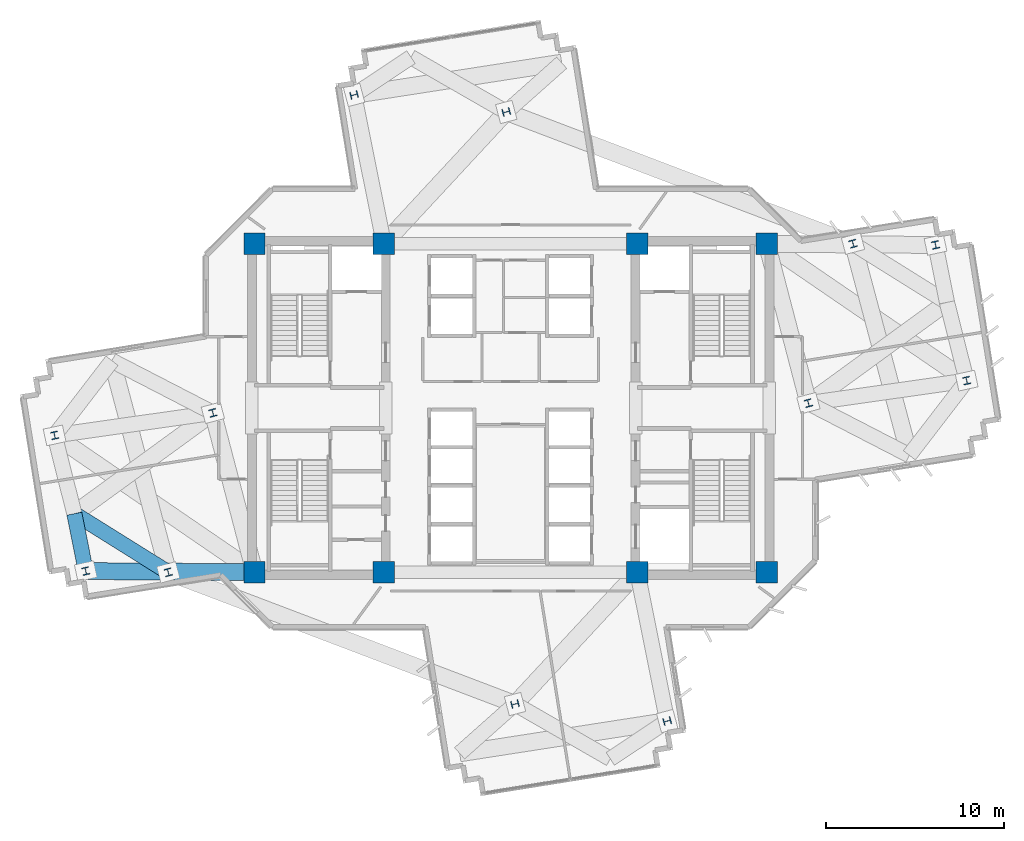
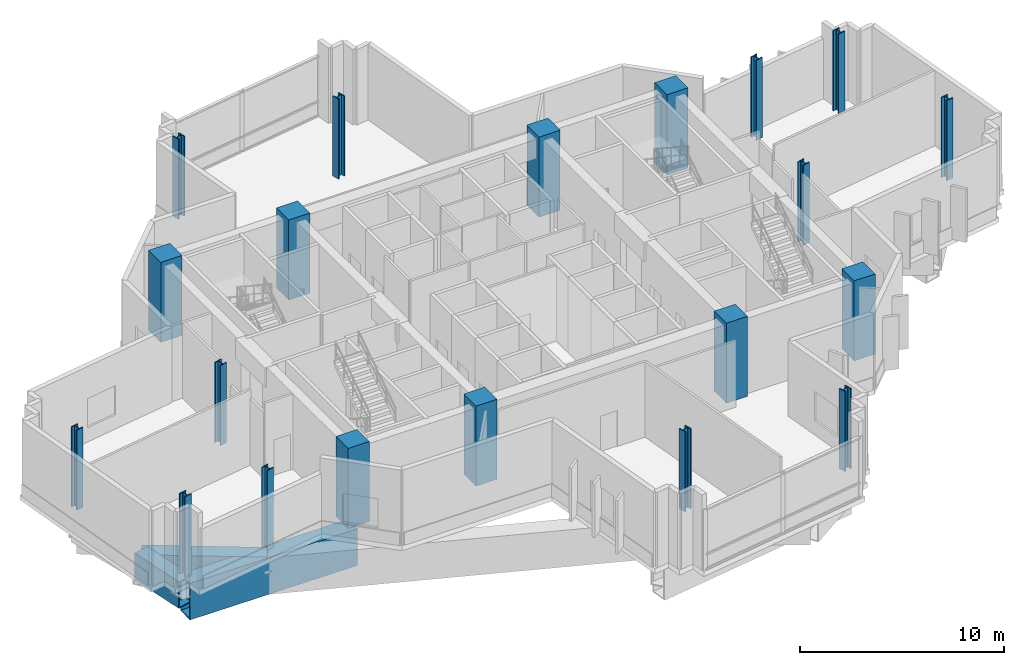
# One storey, part 1 of 12: 20 columns, 3 beams.
"""IFC4 building model written with IfcOpenShell, lengths in metres."""

from ifc_helpers import new_model, si_unit, direction, frame, origin, origin_2d, place, context, subcontext, project, spatial, rectangle, hollow_rectangle, i_section, extrude, source, transform, mapped, material, material_profile, profile_set, type_object, element, save


model = new_model("IFC4")

# Units and contexts
model_context = context("Model", 3, precision=1e-05, world=origin(), true_north=direction((0.0, 1.0)))
body_context = subcontext(model_context, "Body", "Model", "MODEL_VIEW")
ifc_project = project(units=[si_unit("LENGTHUNIT", "METRE"), si_unit("AREAUNIT", "SQUARE_METRE"), si_unit("VOLUMEUNIT", "CUBIC_METRE"), si_unit("PLANEANGLEUNIT", "RADIAN"), si_unit("MASSUNIT", "GRAM", prefix="KILO")], contexts=[model_context])

# Site, building, storey
site_placement = place(None, origin())
site = spatial("IfcSite", under=ifc_project, at=site_placement, CompositionType="ELEMENT")
building_placement = place(site_placement, origin())
building = spatial("IfcBuilding", under=site, at=building_placement, Name="Zahravan Cultural Tower", CompositionType="ELEMENT")
storey_placement = place(building_placement, frame((0.0, 0.0, 130.800048828125)))
storey = spatial("IfcBuildingStorey", under=building, at=storey_placement, Name="L29", CompositionType="ELEMENT", Elevation=130.800048828125)

# Columns
ifc_material_1 = material(Name="Concrete C50/60", Category="concrete")
ifc_material_profile_1 = material_profile(ifc_material_1, rectangle(XDim=1.199951171875, YDim=1.199951171875, at=origin_2d()), Name="RC1200X1200")
ifc_profile_set_1 = profile_set([ifc_material_profile_1], Name="Concrete C50/60")
column_type_1 = type_object("IfcColumnType", Name="COL-RC1200", PredefinedType="COLUMN", material=ifc_profile_set_1)
shared_shape_1 = source(origin(), body_context, "Body", "SweptSolid", [
    extrude(rectangle(XDim=1.199951171875, YDim=1.199951171875, at=origin_2d()), origin(), (0.0, 0.0, 1.0), 4.800048828125),
])
for number, where, z_axis, x_axis, name in (
    (1, (21.64990234375, 17.800048828125, 0.0), (0.0, 0.0, 1.0), (1.0, 0.0, 0.0), "L29 Column CC-W1"),
    (2, (28.89990234375, 17.800048828125, 0.0), (0.0, 0.0, 1.0), (1.0, 0.0, 0.0), "L29 Column CC-W2"),
    (3, (21.64990234375, 36.199951171875, 0.0), (0.0, 0.0, 1.0), (1.0, 0.0, 0.0), "L29 Column CC-W3"),
    (4, (28.89990234375, 36.199951171875, 0.0), (0.0, 0.0, 1.0), (1.0, 0.0, 0.0), "L29 Column CC-W4"),
    (5, (43.10009765625, 17.800048828125, 0.0), (0.0, 0.0, 1.0), (1.0, 0.0, 0.0), "L29 Column CC-E1"),
    (6, (50.35009765625, 17.800048828125, 0.0), (0.0, 0.0, 1.0), (1.0, 0.0, 0.0), "L29 Column CC-E2"),
    (7, (43.10009765625, 36.199951171875, 0.0), (0.0, 0.0, 1.0), (1.0, 0.0, 0.0), "L29 Column CC-E3"),
    (8, (50.35009765625, 36.199951171875, 0.0), (0.0, 0.0, 1.0), (1.0, 0.0, 0.0), "L29 Column CC-E4"),
):
    element("IfcColumn", number, at=place(storey_placement, frame(where, z_axis=z_axis, x_axis=x_axis)), inside=storey, type_object=column_type_1, Name=name, PredefinedType="COLUMN", context=body_context, shape_type="MappedRepresentation", body=[
        mapped(shared_shape_1, transform((0.0, 0.0, 0.0), x_axis=(1.0, 0.0, 0.0), y_axis=(0.0, 1.0, 0.0), z_axis=(0.0, 0.0, 1.0), scale=1.0)),
    ])
ifc_material_2 = material(Name="Steel ASTM A992 Grade 50", Category="steel")
ifc_material_profile_2 = material_profile(ifc_material_2, i_section(OverallWidth=0.412109375, OverallDepth=0.43505859375, WebThickness=0.035888671875, FlangeThickness=0.057373046875, FilletRadius=0.01806640625, at=origin_2d()), Name="W14X311")
ifc_profile_set_2 = profile_set([ifc_material_profile_2], Name="Steel ASTM A992 Grade 50")
column_type_2 = type_object("IfcColumnType", Name="COL-W14X311", PredefinedType="COLUMN", material=ifc_profile_set_2)
shared_shape_2 = source(origin(), body_context, "Body", "SweptSolid", [
    extrude(i_section(OverallWidth=0.412109375, OverallDepth=0.43505859375, WebThickness=0.035888671875, FlangeThickness=0.057373046875, FilletRadius=0.01806640625, at=origin_2d()), origin(), (0.0, 0.0, 1.0), 4.800048828125),
])
for number, where, z_axis, x_axis, name in (
    (9, (52.684326171875, 27.27099609375, 0.0), (0.0, 0.0, 1.0), (0.966823388604, 0.255445757936, 0.0), "L29 Column Z2C-E1"),
    (10, (55.184814453125, 36.2060546875, 0.0), (0.0, 0.0, 1.0), (0.966823388604, 0.255445757936, 0.0), "L29 Column Z2C-E2"),
    (11, (35.754638671875, 43.587646484375, 0.0), (0.0, 0.0, 1.0), (-0.255445757936, 0.966823388604, 0.0), "L29 Column Z2C-N1"),
    (12, (27.22802734375, 44.541259765625, 0.0), (0.0, 0.0, 1.0), (-0.255445757936, 0.966823388604, 0.0), "L29 Column Z2C-N2"),
    (13, (19.315673828125, 26.72900390625, 0.0), (0.0, 0.0, 1.0), (0.966823388604, 0.255445757936, 0.0), "L29 Column Z2C-W1"),
    (14, (16.815185546875, 17.7939453125, 0.0), (0.0, 0.0, 1.0), (0.966823388604, 0.255445757936, 0.0), "L29 Column Z2C-W2"),
    (15, (36.245361328125, 10.412353515625, 0.0), (0.0, 0.0, 1.0), (-0.255445757936, 0.966823388604, 0.0), "L29 Column Z2C-S1"),
    (16, (44.77197265625, 9.458740234375, 0.0), (0.0, 0.0, 1.0), (-0.255445757936, 0.966823388604, 0.0), "L29 Column Z2C-S2"),
    (17, (61.552734375, 28.53466796875, 0.0), (0.0, 0.0, 1.0), (0.977415894286, 0.211324796455, 0.0), "L29 Column Z2T-E1"),
    (18, (59.806640625, 36.13720703125, 0.0), (0.0, 0.0, 1.0), (0.977415894286, 0.211324796455, 0.0), "L29 Column Z2T-E2"),
    (19, (10.447265625, 25.46533203125, 0.0), (0.0, 0.0, 1.0), (0.977415894286, 0.211324796455, 0.0), "L29 Column Z2T-W1"),
    (20, (12.193359375, 17.86279296875, 0.0), (0.0, 0.0, 1.0), (0.977415894286, 0.211324796455, 0.0), "L29 Column Z2T-W2"),
):
    element("IfcColumn", number, at=place(storey_placement, frame(where, z_axis=z_axis, x_axis=x_axis)), inside=storey, type_object=column_type_2, Name=name, PredefinedType="COLUMN", context=body_context, shape_type="MappedRepresentation", body=[
        mapped(shared_shape_2, transform((0.0, 0.0, 0.0), x_axis=(1.0, 0.0, 0.0), y_axis=(0.0, 1.0, 0.0), z_axis=(0.0, 0.0, 1.0), scale=1.0)),
    ])

# Beams
ifc_material_3 = material(Name="Steel ASTM A572 Grade 50", Category="steel")
ifc_material_profile_3 = material_profile(ifc_material_3, hollow_rectangle(XDim=0.949951171875, YDim=2.199951171875, WallThickness=0.070068359375, at=origin_2d()), Name="BOX2200X950X70")
ifc_profile_set_3 = profile_set([ifc_material_profile_3], Name="Steel ASTM A572 Grade 50")
beam_type_1 = type_object("IfcBeamType", Name="BM-TR-BOX2200", PredefinedType="BEAM", material=ifc_profile_set_3)
shared_shape_3 = source(origin(), body_context, "Body", "SweptSolid", [
    extrude(hollow_rectangle(XDim=0.949951171875, YDim=2.199951171875, WallThickness=0.070068359375, at=origin_2d()), origin(), (0.0, 0.0, 1.0), 9.456787109375),
])
beam_1_placement = place(storey_placement, frame((21.64990234375, 17.800048828125, -1.400146484375), z_axis=(-0.99997798913, 0.006634851634, 0.0), x_axis=(-0.006634851634, -0.99997798913, 0.0)))
element("IfcBeam", 21, at=beam_1_placement, inside=storey, type_object=beam_type_1, Name="L29 Beam TB-L29-13", PredefinedType="BEAM", context=body_context, shape_type="MappedRepresentation", body=[
    mapped(shared_shape_3, transform((0.0, 0.0, 0.0), x_axis=(1.0, 0.0, 0.0), y_axis=(0.0, 1.0, 0.0), z_axis=(0.0, 0.0, 1.0), scale=1.0)),
])
ifc_material_profile_4 = material_profile(ifc_material_3, hollow_rectangle(XDim=0.85009765625, YDim=1.60009765625, WallThickness=0.06005859375, at=origin_2d()), Name="BOX1600X850X60")
ifc_profile_set_4 = profile_set([ifc_material_profile_4], Name="Steel ASTM A572 Grade 50")
beam_type_2 = type_object("IfcBeamType", Name="BM-TR-BOX1600", PredefinedType="BEAM", material=ifc_profile_set_4)
shared_shape_4 = source(origin(), body_context, "Body", "SweptSolid", [
    extrude(hollow_rectangle(XDim=0.85009765625, YDim=1.60009765625, WallThickness=0.06005859375, at=origin_2d()), origin(), (0.0, 0.0, 1.0), 3.280517578125),
])
beam_2_placement = place(storey_placement, frame((12.193359375, 17.86279296875, -1.10009765625), z_axis=(-0.195056955315, 0.980791916863, 0.0), x_axis=(-0.980791916863, -0.195056955315, 0.0)))
element("IfcBeam", 22, at=beam_2_placement, inside=storey, type_object=beam_type_2, Name="L29 Beam TB-L29-14", PredefinedType="BEAM", context=body_context, shape_type="MappedRepresentation", body=[
    mapped(shared_shape_4, transform((0.0, 0.0, 0.0), x_axis=(1.0, 0.0, 0.0), y_axis=(0.0, 1.0, 0.0), z_axis=(0.0, 0.0, 1.0), scale=1.0)),
])
shared_shape_5 = source(origin(), body_context, "Body", "SweptSolid", [
    extrude(hollow_rectangle(XDim=0.85009765625, YDim=1.60009765625, WallThickness=0.06005859375, at=origin_2d()), origin(), (0.0, 0.0, 1.0), 6.20361328125),
])
beam_3_placement = place(storey_placement, frame((16.815185546875, 17.7939453125, -1.10009765625), z_axis=(-0.848157450483, 0.529744220534, 0.0), x_axis=(-0.529744220534, -0.848157450483, 0.0)))
element("IfcBeam", 23, at=beam_3_placement, inside=storey, type_object=beam_type_2, Name="L29 Beam TB-L29-17", PredefinedType="BEAM", context=body_context, shape_type="MappedRepresentation", body=[
    mapped(shared_shape_5, transform((0.0, 0.0, 0.0), x_axis=(1.0, 0.0, 0.0), y_axis=(0.0, 1.0, 0.0), z_axis=(0.0, 0.0, 1.0), scale=1.0)),
])

save(model, "model.ifc")
